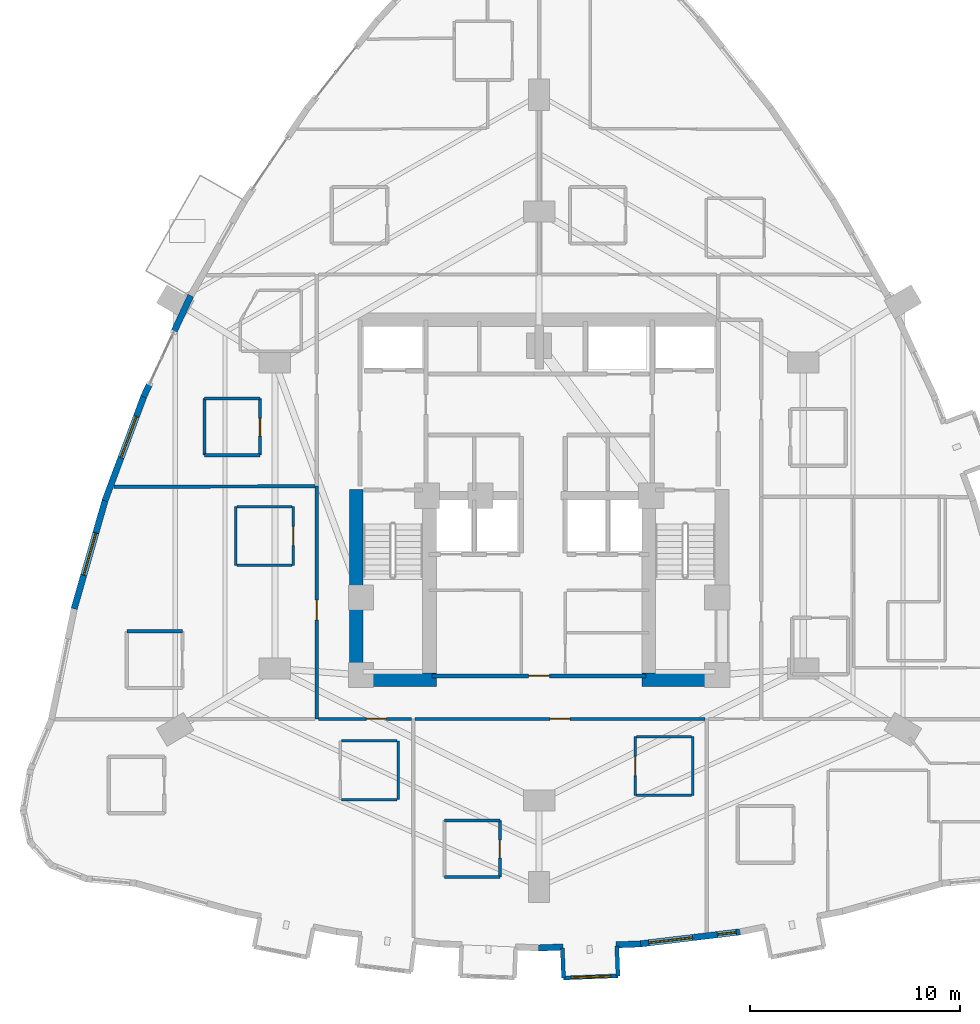
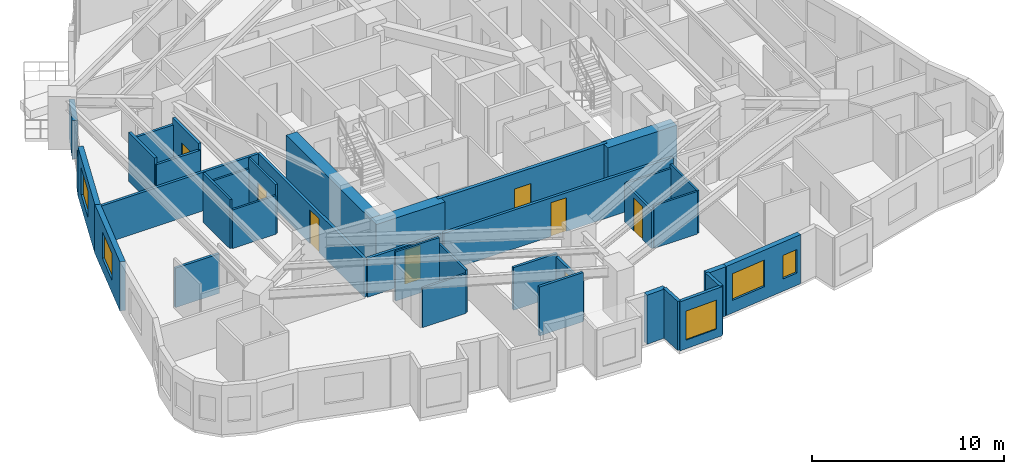
# One storey, part 11 of 17: 37 walls, 8 doors, 5 windows, 13 openings.
"""IFC4 building model written with IfcOpenShell, lengths in metres."""

import ifcopenshell
import ifcopenshell.guid

model = None  # the IFC model being written
_history = None  # IfcOwnerHistory: only IFC2X3 demands one
_inside = {}  # id of a spatial element -> (the spatial element, [elements in it])
_under = {}  # id of a project, library or spatial element -> (it, [spatial elements below it])
_declared = {}  # id of a project -> (the project, [libraries it declares])
_typed = {}  # id of a type object -> (the type object, [elements of that type])
_made_of = {}  # id of a material, layer set ... -> (it, [elements and type objects made of it])


def new_model(schema):
    """Start an empty IFC model of exactly this schema.

    Asked for "IFC4X3", IfcOpenShell would pick the latest addendum, in which some entities
    have other attributes; the version numbers below select the first issue.
    IFC2X3 requires an IfcOwnerHistory on every rooted entity: one is made here for all.
    """
    global model, _history
    if schema == "IFC4X3":
        model = ifcopenshell.file(schema_version=(4, 3, 0, 0))
    else:
        model = ifcopenshell.file(schema=schema)
    _inside.clear()
    _under.clear()
    _declared.clear()
    _typed.clear()
    _made_of.clear()
    _history = None
    if model.schema == "IFC2X3":
        org = make("IfcOrganization", Name="unknown")
        user = make(
            "IfcPersonAndOrganization",
            ThePerson=make("IfcPerson", FamilyName="unknown"),
            TheOrganization=org,
        )
        app = make(
            "IfcApplication",
            ApplicationDeveloper=org,
            Version="unknown",
            ApplicationFullName="unknown",
            ApplicationIdentifier="unknown",
        )
        _history = make(
            "IfcOwnerHistory",
            OwningUser=user,
            OwningApplication=app,
            ChangeAction="ADDED",
            CreationDate=0,
        )
    return model


def make(cls, **values):
    """One entity of the class cls with the attributes given. An attribute that is None is left unset."""
    return model.create_entity(
        cls, **{name: value for name, value in values.items() if value is not None}
    )


def rooted(cls, **values):
    """An entity with a GlobalId (a new one), such as an element, a storey or a relation."""
    return make(cls, GlobalId=ifcopenshell.guid.new(), OwnerHistory=_history, **values)


def si_unit(unit_type, name, prefix=None):
    """IfcSIUnit, for example si_unit("LENGTHUNIT", "METRE", prefix="MILLI")."""
    return make("IfcSIUnit", UnitType=unit_type, Prefix=prefix, Name=name)


def assignment(units):
    """IfcUnitAssignment: the units of a project."""
    return None if units is None else make("IfcUnitAssignment", Units=units)


def point(xyz):
    """IfcCartesianPoint."""
    return None if xyz is None else make("IfcCartesianPoint", Coordinates=xyz)


def direction(xyz):
    """IfcDirection."""
    return None if xyz is None else make("IfcDirection", DirectionRatios=xyz)


def frame(location, z_axis=None, x_axis=None):
    """IfcAxis2Placement3D, a coordinate frame: its origin and axes. An axis left out is left unset."""
    return make(
        "IfcAxis2Placement3D",
        Location=point(location),
        Axis=direction(z_axis),
        RefDirection=direction(x_axis),
    )


def frame_2d(location, x_axis=None):
    """IfcAxis2Placement2D, a coordinate frame in the plane: its origin and x axis."""
    return make(
        "IfcAxis2Placement2D", Location=point(location), RefDirection=direction(x_axis)
    )


def origin():
    """The frame at (0, 0, 0) with its axes left unset."""
    return frame((0.0, 0.0, 0.0))


def place(relative_to, where):
    """IfcLocalPlacement: puts the frame where relative to a parent placement (None: the world)."""
    return make(
        "IfcLocalPlacement", PlacementRelTo=relative_to, RelativePlacement=where
    )


def context(
    kind, dimensions, precision=None, world=None, true_north=None, identifier=None
):
    """IfcGeometricRepresentationContext, for example the 3D "Model" context."""
    return make(
        "IfcGeometricRepresentationContext",
        ContextIdentifier=identifier,
        ContextType=kind,
        CoordinateSpaceDimension=dimensions,
        Precision=precision,
        WorldCoordinateSystem=world,
        TrueNorth=true_north,
    )


def subcontext(parent, identifier, kind, view, scale=None):
    """IfcGeometricRepresentationSubContext, for example "Body" below "Model"."""
    return make(
        "IfcGeometricRepresentationSubContext",
        ContextIdentifier=identifier,
        ContextType=kind,
        ParentContext=parent,
        TargetScale=scale,
        TargetView=view,
    )


def project(units=None, contexts=None):
    """IfcProject with its units and contexts."""
    return rooted(
        "IfcProject",
        Name="project",
        RepresentationContexts=contexts,
        UnitsInContext=assignment(units),
    )


def spatial(cls, under=None, at=None, **own):
    """A site, building, storey or space (cls), placed at a placement, below another one or the project."""
    s = rooted(cls, ObjectPlacement=at, **own)
    if under is not None:
        _under.setdefault(under.id(), (under, []))[1].append(s)
    return s


def profile(cls, at=None, kind="AREA", **sizes):
    """A parametric profile (cls). Its sizes go by their IFC names, for example OverallWidth=200.0."""
    return make(cls, ProfileType=kind, Position=at, **sizes)


def rectangle(**sizes):
    """IfcRectangleProfileDef."""
    return profile("IfcRectangleProfileDef", **sizes)


def extrude(swept, where, along, depth):
    """IfcExtrudedAreaSolid: the profile swept, set in the frame where, extruded along a direction by depth."""
    return make(
        "IfcExtrudedAreaSolid",
        SweptArea=swept,
        Position=where,
        ExtrudedDirection=direction(along),
        Depth=depth,
    )


def shape(context_of_items, identifier, shape_type, items):
    """IfcShapeRepresentation: the items that make up one representation, for example the "Body"."""
    return make(
        "IfcShapeRepresentation",
        ContextOfItems=context_of_items,
        RepresentationIdentifier=identifier,
        RepresentationType=shape_type,
        Items=items,
    )


def material(Name=None, Category=None):
    """IfcMaterial."""
    return make("IfcMaterial", Name=Name, Category=Category)


def layer(
    of_material, thickness, ventilated=None, Name=None, Category=None, Priority=None
):
    """IfcMaterialLayer: one layer of a wall or slab, of a material (None: an air gap)."""
    return make(
        "IfcMaterialLayer",
        Material=of_material,
        LayerThickness=thickness,
        IsVentilated=ventilated,
        Name=Name,
        Category=Category,
        Priority=Priority,
    )


def layer_set(layers, Name=None):
    """IfcMaterialLayerSet."""
    return make("IfcMaterialLayerSet", MaterialLayers=layers, LayerSetName=Name)


def made_of(thing, what):
    """Note that an element or type object is made of a material, layer set ...; save() writes the relation."""
    if what is not None:
        _made_of.setdefault(what.id(), (what, []))[1].append(thing)
    return thing


def type_object(cls, material=None, **own):
    """A type object (cls), such as IfcWallType, which elements share."""
    return made_of(rooted(cls, **own), material)


def element(
    cls,
    number,
    at=None,
    inside=None,
    cuts=None,
    type_object=None,
    material=None,
    context=None,
    identifier="Body",
    shape_type=None,
    held_by="IfcProductDefinitionShape",
    body=None,
    shapes=None,
    **own,
):
    """One element of the class cls, such as IfcWall. Its Tag is "e" and its number.

    at: its placement. inside: the storey or other place that contains it. cuts: it is an
    opening in that element (IfcRelVoidsElement). A single representation is given by context,
    identifier, shape_type and body (its items); several are given by shapes. held_by: the class
    of the entity that holds the representations. save() writes the other relations.
    """
    e = rooted(cls, Tag="e%d" % number, ObjectPlacement=at, **own)
    if body is not None:
        shapes = [shape(context, identifier, shape_type, body)]
    if shapes is not None:
        e.Representation = make(held_by, Representations=shapes)
    if inside is not None:
        _inside.setdefault(inside.id(), (inside, []))[1].append(e)
    if cuts is not None:
        rooted(
            "IfcRelVoidsElement", RelatingBuildingElement=cuts, RelatedOpeningElement=e
        )
    if type_object is not None:
        _typed.setdefault(type_object.id(), (type_object, []))[1].append(e)
    return made_of(e, material)


def fill(opening, filler):
    """IfcRelFillsElement: the door or window that sits in an opening."""
    return rooted(
        "IfcRelFillsElement",
        RelatingOpeningElement=opening,
        RelatedBuildingElement=filler,
    )


def aggregate(whole, parts):
    """IfcRelAggregates: a whole, such as a stair, and the parts it consists of."""
    return rooted("IfcRelAggregates", RelatingObject=whole, RelatedObjects=parts)


def save(model, path):
    """Write the relations noted so far, then the file.

    IfcRelAggregates (storeys below a building ...), IfcRelContainedInSpatialStructure (elements
    in a storey), IfcRelDefinesByType, IfcRelAssociatesMaterial and IfcRelDeclares: one each for
    every whole, place, type object, material and project.
    """
    for whole, parts in _under.values():
        aggregate(whole, parts)
    for where, things in _inside.values():
        rooted(
            "IfcRelContainedInSpatialStructure",
            RelatedElements=things,
            RelatingStructure=where,
        )
    for kind, things in _typed.values():
        rooted("IfcRelDefinesByType", RelatedObjects=things, RelatingType=kind)
    for what, things in _made_of.values():
        rooted("IfcRelAssociatesMaterial", RelatedObjects=things, RelatingMaterial=what)
    for by, libraries in _declared.values():
        rooted("IfcRelDeclares", RelatingContext=by, RelatedDefinitions=libraries)
    model.write(path)


model = new_model("IFC4")

# Units and contexts
model_context = context("Model", 3, precision=1e-05, world=origin(), true_north=direction((0.0, 1.0)))
body_context = subcontext(model_context, "Body", "Model", "MODEL_VIEW")
ifc_project = project(units=[si_unit("LENGTHUNIT", "METRE"), si_unit("AREAUNIT", "SQUARE_METRE"), si_unit("VOLUMEUNIT", "CUBIC_METRE"), si_unit("PLANEANGLEUNIT", "RADIAN"), si_unit("MASSUNIT", "GRAM", prefix="KILO")], contexts=[model_context])

# Site, building, storey
site_placement = place(None, origin())
site = spatial("IfcSite", under=ifc_project, at=site_placement, CompositionType="ELEMENT")
building_placement = place(site_placement, origin())
building = spatial("IfcBuilding", under=site, at=building_placement, Name="Miruveldt Soraemaru", CompositionType="ELEMENT")
storey_placement = place(building_placement, frame((0.0, 0.0, 53.0)))
storey = spatial("IfcBuildingStorey", under=building, at=storey_placement, Name="L14", CompositionType="ELEMENT", Elevation=53.0)

# Walls
ifc_material_1 = material(Name="White powder-coated aluminium EN AW-6060 T6", Category="aluminium")
ifc_layer_1 = layer(ifc_material_1, 0.18994140625, Name="White powder-coated aluminium EN AW-6060 T6", Category="aluminium")
ifc_layer_set_1 = layer_set([ifc_layer_1], Name="White powder-coated aluminium EN AW-6060 T6")
wall_type_1 = type_object("IfcWallType", Name="WALL-BAY-ALU190", PredefinedType="SOLIDWALL", material=ifc_layer_set_1)
wall_1_placement = place(storey_placement, frame((45.10986328125, 22.464599609375, 0.0), z_axis=(0.0, 0.0, 1.0), x_axis=(0.039926977512, -0.99920260031, 0.0)))
element("IfcWall", 1, at=wall_1_placement, inside=storey, type_object=wall_type_1, Name="L14 Bay Window Side Cheek 4L", PredefinedType="SOLIDWALL", context=body_context, shape_type="SweptSolid", body=[
    extrude(rectangle(XDim=1.4248046875, YDim=0.18994140625, at=frame_2d((0.71240234375, 0.0))), origin(), (0.0, 0.0, 1.0), 3.125),
])
wall_2_placement = place(storey_placement, frame((47.7646484375, 21.144775390625, 0.0), z_axis=(0.0, 0.0, 1.0), x_axis=(-0.039920142234, 0.999202873417, 0.0)))
element("IfcWall", 2, at=wall_2_placement, inside=storey, type_object=wall_type_1, Name="L14 Bay Window Side Cheek 4R", PredefinedType="SOLIDWALL", context=body_context, shape_type="SweptSolid", body=[
    extrude(rectangle(XDim=1.425048828125, YDim=0.18994140625, at=frame_2d((0.71240234375, 0.0))), origin(), (0.0, 0.0, 1.0), 3.125),
])

# Wall, opening, window
wall_3_placement = place(storey_placement, frame((45.166748046875, 21.041015625, 0.0), z_axis=(0.0, 0.0, 1.0), x_axis=(0.999203356953, 0.039908037469, 0.0)))
wall_3 = element("IfcWall", 3, at=wall_3_placement, inside=storey, type_object=wall_type_1, Name="L14 Bay Window Front Frame 4", PredefinedType="SOLIDWALL", context=body_context, shape_type="SweptSolid", body=[
    extrude(rectangle(XDim=2.599853515625, YDim=0.18994140625, at=frame_2d((1.2998046875, 0.0))), origin(), (0.0, 0.0, 1.0), 3.125),
])
opening_1_placement = place(wall_3_placement, frame((0.35009765625, 0.0, 0.550048828125)))
opening_1 = element("IfcOpeningElement", 4, at=opening_1_placement, cuts=wall_3, Name="Opening WN-6", PredefinedType="OPENING", context=body_context, shape_type="SweptSolid", body=[
    extrude(rectangle(XDim=1.89990234375, YDim=1.85009765625, at=frame_2d((0.949951171875, 0.925048828125))), frame((0.0, 0.10498046875, 0.0), z_axis=(0.0, -1.0, 0.0), x_axis=(1.0, 0.0, 0.0)), (0.0, 0.0, 1.0), 0.2099609375),
])
ifc_material_2 = material(Name="Triple low-e insulated glazing", Category="glass")
window_type_1 = type_object("IfcWindowType", Name="WIN-BAYW-1900x1850", PartitioningType="SINGLE_PANEL", PredefinedType="WINDOW", material=ifc_material_2)
window_1_placement = place(opening_1_placement, origin())
window_1 = element("IfcWindow", 5, at=window_1_placement, inside=storey, type_object=window_type_1, Name="L14 Projecting Bay Window 4", OverallHeight=1.85009765625, OverallWidth=1.89990234375, PartitioningType="SINGLE_PANEL", PredefinedType="WINDOW", context=body_context, shape_type="SweptSolid", body=[
    extrude(rectangle(XDim=1.89990234375, YDim=1.85009765625, at=frame_2d((0.949951171875, 0.925048828125))), frame((0.0, 0.030029296875, 0.0), z_axis=(0.0, -1.0, 0.0), x_axis=(1.0, 0.0, 0.0)), (0.0, 0.0, 1.0), 0.06005859375),
])
fill(opening_1, window_1)

# Walls
ifc_material_3 = material(Name="Concrete C80/95 (80 MPa)", Category="concrete")
ifc_layer_2 = layer(ifc_material_3, 0.64990234375, Name="Concrete C80/95 (80 MPa)", Category="concrete")
ifc_layer_set_2 = layer_set([ifc_layer_2], Name="Concrete C80/95 (80 MPa)")
wall_type_2 = type_object("IfcWallType", Name="WALL-CW-650", PredefinedType="SHEAR", material=ifc_layer_set_2)
for number, where, z_axis, x_axis, name in (
    (6, (34.949951171875, 35.27490234375, 0.0), (0.0, 0.0, 1.0), (1.0, 0.0, 0.0), "L14 Central Core Shear Wall S1"),
    (7, (48.89990234375, 35.27490234375, 0.0), (0.0, 0.0, 1.0), (1.0, 0.0, 0.0), "L14 Central Core Shear Wall S2"),
):
    element("IfcWall", number, at=place(storey_placement, frame(where, z_axis=z_axis, x_axis=x_axis)), inside=storey, type_object=wall_type_2, Name=name, PredefinedType="SHEAR", context=body_context, shape_type="SweptSolid", body=[
        extrude(rectangle(XDim=4.150146484375, YDim=0.64990234375, at=frame_2d((2.0751953125, 0.0))), origin(), (0.0, 0.0, 1.0), 3.125),
    ])
wall_4_placement = place(storey_placement, frame((35.27490234375, 34.949951171875, 0.0), z_axis=(0.0, 0.0, 1.0), x_axis=(0.0, 1.0, 0.0)))
element("IfcWall", 8, at=wall_4_placement, inside=storey, type_object=wall_type_2, Name="L14 Central Core Shear Wall W1", PredefinedType="SHEAR", context=body_context, shape_type="SweptSolid", body=[
    extrude(rectangle(XDim=9.400146484375, YDim=0.64990234375, at=frame_2d((4.7001953125, 0.0))), origin(), (0.0, 0.0, 1.0), 3.125),
])
ifc_material_4 = material(Name="Precast concrete C45/55 (45 MPa)", Category="concrete")
ifc_layer_3 = layer(ifc_material_4, 0.300048828125, Name="Precast concrete C45/55 (45 MPa)", Category="concrete")
ifc_layer_set_3 = layer_set([ifc_layer_3], Name="Precast concrete C45/55 (45 MPa)")
wall_type_3 = type_object("IfcWallType", Name="WALL-EXT-PC300", PredefinedType="SOLIDWALL", material=ifc_layer_set_3)
wall_5_placement = place(storey_placement, frame((27.3837890625, 53.593994140625, 0.0), z_axis=(0.0, 0.0, 1.0), x_axis=(-0.422288735968, -0.906461374508, 0.0)))
element("IfcWall", 9, at=wall_5_placement, inside=storey, type_object=wall_type_3, Name="L14 Precast Pier Left 11", PredefinedType="SOLIDWALL", context=body_context, shape_type="SweptSolid", body=[
    extrude(rectangle(XDim=1.948974609375, YDim=0.300048828125, at=frame_2d((0.974609375, 0.0))), origin(), (0.0, 0.0, 1.0), 2.462890625),
])
wall_6_placement = place(storey_placement, frame((25.431884765625, 49.404296875, 0.0), z_axis=(0.0, 0.0, 1.0), x_axis=(-0.422373247815, -0.906421998591, 0.0)))
element("IfcWall", 10, at=wall_6_placement, inside=storey, type_object=wall_type_3, Name="L14 Precast Pier Right 11", PredefinedType="SOLIDWALL", context=body_context, shape_type="SweptSolid", body=[
    extrude(rectangle(XDim=0.70458984375, YDim=0.300048828125, at=frame_2d((0.352294921875, 0.0))), origin(), (0.0, 0.0, 1.0), 2.462890625),
])

# Wall, opening, window
wall_7_placement = place(storey_placement, frame((25.161376953125, 48.830078125, 0.0), z_axis=(0.0, 0.0, 1.0), x_axis=(-0.349036086513, -0.937109284082, 0.0)))
wall_7 = element("IfcWall", 11, at=wall_7_placement, inside=storey, type_object=wall_type_3, Name="L14 Precast Concrete Facade Wall 12", PredefinedType="SOLIDWALL", context=body_context, shape_type="SweptSolid", body=[
    extrude(rectangle(XDim=5.360107421875, YDim=0.300048828125, at=frame_2d((2.68017578125, 0.0))), origin(), (0.0, 0.0, 1.0), 3.125),
])
opening_2_placement = place(wall_7_placement, frame((1.06591796875, 0.0, 0.800048828125)))
opening_2 = element("IfcOpeningElement", 12, at=opening_2_placement, cuts=wall_7, Name="Opening WN-1", PredefinedType="OPENING", context=body_context, shape_type="SweptSolid", body=[
    extrude(rectangle(XDim=2.10009765625, YDim=1.699951171875, at=frame_2d((1.050048828125, 0.85009765625))), frame((0.0, 0.16015625, 0.0), z_axis=(0.0, -1.0, 0.0), x_axis=(1.0, 0.0, 0.0)), (0.0, 0.0, 1.0), 0.320068359375),
])
window_type_2 = type_object("IfcWindowType", Name="WIN-PUNCH-2100x1700", PartitioningType="SINGLE_PANEL", PredefinedType="WINDOW", material=ifc_material_2)
window_2_placement = place(opening_2_placement, origin())
window_2 = element("IfcWindow", 13, at=window_2_placement, inside=storey, type_object=window_type_2, Name="L14 Punched Triple-Glazed Window 12.1", OverallHeight=1.699951171875, OverallWidth=2.10009765625, PartitioningType="SINGLE_PANEL", PredefinedType="WINDOW", context=body_context, shape_type="SweptSolid", body=[
    extrude(rectangle(XDim=2.10009765625, YDim=1.699951171875, at=frame_2d((1.050048828125, 0.85009765625))), frame((0.0, 0.030029296875, 0.0), z_axis=(0.0, -1.0, 0.0), x_axis=(1.0, 0.0, 0.0)), (0.0, 0.0, 1.0), 0.06005859375),
])
fill(opening_2, window_2)

wall_8_placement = place(storey_placement, frame((23.312255859375, 43.873779296875, 0.0), z_axis=(0.0, 0.0, 1.0), x_axis=(-0.274929090482, -0.961464505432, 0.0)))
wall_8 = element("IfcWall", 14, at=wall_8_placement, inside=storey, type_object=wall_type_3, Name="L14 Precast Concrete Facade Wall 13", PredefinedType="SOLIDWALL", context=body_context, shape_type="SweptSolid", body=[
    extrude(rectangle(XDim=5.4267578125, YDim=0.300048828125, at=frame_2d((2.71337890625, 0.0))), origin(), (0.0, 0.0, 1.0), 3.125),
])
opening_3_placement = place(wall_8_placement, frame((1.6630859375, 0.0, 0.800048828125)))
opening_3 = element("IfcOpeningElement", 15, at=opening_3_placement, cuts=wall_8, Name="Opening WN-1", PredefinedType="OPENING", context=body_context, shape_type="SweptSolid", body=[
    extrude(rectangle(XDim=2.10009765625, YDim=1.699951171875, at=frame_2d((1.050048828125, 0.85009765625))), frame((0.0, 0.16015625, 0.0), z_axis=(0.0, -1.0, 0.0), x_axis=(1.0, 0.0, 0.0)), (0.0, 0.0, 1.0), 0.320068359375),
])
window_3_placement = place(opening_3_placement, origin())
window_3 = element("IfcWindow", 16, at=window_3_placement, inside=storey, type_object=window_type_2, Name="L14 Punched Triple-Glazed Window 13.1", OverallHeight=1.699951171875, OverallWidth=2.10009765625, PartitioningType="SINGLE_PANEL", PredefinedType="WINDOW", context=body_context, shape_type="SweptSolid", body=[
    extrude(rectangle(XDim=2.10009765625, YDim=1.699951171875, at=frame_2d((1.050048828125, 0.85009765625))), frame((0.0, 0.030029296875, 0.0), z_axis=(0.0, -1.0, 0.0), x_axis=(1.0, 0.0, 0.0)), (0.0, 0.0, 1.0), 0.06005859375),
])
fill(opening_3, window_3)

# Walls
wall_9_placement = place(storey_placement, frame((43.965087890625, 22.47412109375, 0.0), z_axis=(0.0, 0.0, 1.0), x_axis=(0.999201955394, 0.03994311377, 0.0)))
element("IfcWall", 17, at=wall_9_placement, inside=storey, type_object=wall_type_3, Name="L14 Precast Pier Wall 25A", PredefinedType="SOLIDWALL", context=body_context, shape_type="SweptSolid", body=[
    extrude(rectangle(XDim=1.173583984375, YDim=0.300048828125, at=frame_2d((0.5869140625, 0.0))), origin(), (0.0, 0.0, 1.0), 3.125),
])
wall_10_placement = place(storey_placement, frame((47.675537109375, 22.622314453125, 0.0), z_axis=(0.0, 0.0, 1.0), x_axis=(0.999202287203, 0.039934812478, 0.0)))
element("IfcWall", 18, at=wall_10_placement, inside=storey, type_object=wall_type_3, Name="L14 Precast Pier Wall 25B", PredefinedType="SOLIDWALL", context=body_context, shape_type="SweptSolid", body=[
    extrude(rectangle(XDim=1.173828125, YDim=0.300048828125, at=frame_2d((0.5869140625, 0.0))), origin(), (0.0, 0.0, 1.0), 3.125),
])

# Wall, openings, windows
wall_11_placement = place(storey_placement, frame((48.778564453125, 22.663818359375, 0.0), z_axis=(0.0, 0.0, 1.0), x_axis=(0.992876838487, 0.119145220618, 0.0)))
wall_11 = element("IfcWall", 19, at=wall_11_placement, inside=storey, type_object=wall_type_3, Name="L14 Precast Concrete Facade Wall 26", PredefinedType="SOLIDWALL", context=body_context, shape_type="SweptSolid", body=[
    extrude(rectangle(XDim=4.917724609375, YDim=0.300048828125, at=frame_2d((2.458984375, 0.0))), origin(), (0.0, 0.0, 1.0), 3.125),
])
opening_4_placement = place(wall_11_placement, frame((0.45703125, 0.0, 0.800048828125)))
opening_4 = element("IfcOpeningElement", 20, at=opening_4_placement, cuts=wall_11, Name="Opening WN-1", PredefinedType="OPENING", context=body_context, shape_type="SweptSolid", body=[
    extrude(rectangle(XDim=2.10009765625, YDim=1.699951171875, at=frame_2d((1.050048828125, 0.85009765625))), frame((0.0, 0.16015625, 0.0), z_axis=(0.0, -1.0, 0.0), x_axis=(1.0, 0.0, 0.0)), (0.0, 0.0, 1.0), 0.320068359375),
])
opening_5_placement = place(wall_11_placement, frame((3.756103515625, 0.0, 0.780029296875)))
opening_5 = element("IfcOpeningElement", 21, at=opening_5_placement, cuts=wall_11, Name="Opening WN-7", PredefinedType="OPENING", context=body_context, shape_type="SweptSolid", body=[
    extrude(rectangle(XDim=0.89990234375, YDim=1.5, at=frame_2d((0.449951171875, 0.75))), frame((0.0, 0.16015625, 0.0), z_axis=(0.0, -1.0, 0.0), x_axis=(1.0, 0.0, 0.0)), (0.0, 0.0, 1.0), 0.320068359375),
])
window_4_placement = place(opening_4_placement, origin())
window_4 = element("IfcWindow", 22, at=window_4_placement, inside=storey, type_object=window_type_2, Name="L14 Punched Triple-Glazed Window 26.1", OverallHeight=1.699951171875, OverallWidth=2.10009765625, PartitioningType="SINGLE_PANEL", PredefinedType="WINDOW", context=body_context, shape_type="SweptSolid", body=[
    extrude(rectangle(XDim=2.10009765625, YDim=1.699951171875, at=frame_2d((1.050048828125, 0.85009765625))), frame((0.0, 0.030029296875, 0.0), z_axis=(0.0, -1.0, 0.0), x_axis=(1.0, 0.0, 0.0)), (0.0, 0.0, 1.0), 0.06005859375),
])
fill(opening_4, window_4)
window_type_3 = type_object("IfcWindowType", Name="WIN-PUNCH-900x1500", PartitioningType="SINGLE_PANEL", PredefinedType="WINDOW", material=ifc_material_2)
window_5_placement = place(opening_5_placement, origin())
window_5 = element("IfcWindow", 23, at=window_5_placement, inside=storey, type_object=window_type_3, Name="L14 Punched Triple-Glazed Window 26.2", OverallHeight=1.5, OverallWidth=0.89990234375, PartitioningType="SINGLE_PANEL", PredefinedType="WINDOW", context=body_context, shape_type="SweptSolid", body=[
    extrude(rectangle(XDim=0.89990234375, YDim=1.5, at=frame_2d((0.449951171875, 0.75))), frame((0.0, 0.030029296875, 0.0), z_axis=(0.0, -1.0, 0.0), x_axis=(1.0, 0.0, 0.0)), (0.0, 0.0, 1.0), 0.06005859375),
])
fill(opening_5, window_5)

# Wall, opening, door
ifc_material_5 = material(Name="Gypsum plasterboard lining", Category="gypsum")
ifc_layer_4 = layer(ifc_material_5, 0.1201171875, Name="Gypsum plasterboard lining", Category="gypsum")
ifc_layer_set_4 = layer_set([ifc_layer_4], Name="Gypsum plasterboard lining")
wall_type_4 = type_object("IfcWallType", Name="WALL-INT-P120", PredefinedType="PARTITIONING", material=ifc_layer_set_4)
wall_12_placement = place(storey_placement, frame((32.281005859375, 40.72998046875, 0.0), z_axis=(0.0, 0.0, 1.0), x_axis=(0.0, 1.0, 0.0)))
wall_12 = element("IfcWall", 24, at=wall_12_placement, inside=storey, type_object=wall_type_4, Name="L14 Partition Wall 57", PredefinedType="PARTITIONING", context=body_context, shape_type="SweptSolid", body=[
    extrude(rectangle(XDim=2.800048828125, YDim=0.1201171875, at=frame_2d((1.39990234375, 0.0))), origin(), (0.0, 0.0, 1.0), 3.125),
])
opening_6_placement = place(wall_12_placement, frame((0.93994140625, 0.0, 0.0)))
opening_6 = element("IfcOpeningElement", 25, at=opening_6_placement, cuts=wall_12, Name="Opening D3A", PredefinedType="OPENING", context=body_context, shape_type="SweptSolid", body=[
    extrude(rectangle(XDim=0.919921875, YDim=2.10009765625, at=frame_2d((0.4599609375, 1.050048828125))), frame((0.0, 0.070068359375, 0.0), z_axis=(0.0, -1.0, 0.0), x_axis=(1.0, 0.0, 0.0)), (0.0, 0.0, 1.0), 0.14013671875),
])
ifc_material_6 = material(Name="Anodised aluminium EN AW-6063 T6", Category="aluminium")
door_type_1 = type_object("IfcDoorType", Name="DOOR-INT-920", OperationType="NOTDEFINED", PredefinedType="DOOR", material=ifc_material_6)
door_1_placement = place(opening_6_placement, origin())
door_1 = element("IfcDoor", 26, at=door_1_placement, inside=storey, type_object=door_type_1, Name="L14 Unit CL04 KIT Door", OperationType="SINGLE_SWING_LEFT", OverallHeight=2.10009765625, OverallWidth=0.919921875, PredefinedType="DOOR", context=body_context, shape_type="SweptSolid", body=[
    extrude(rectangle(XDim=0.919921875, YDim=2.10009765625, at=frame_2d((0.4599609375, 1.050048828125))), frame((0.0, 0.02490234375, 0.0), z_axis=(0.0, -1.0, 0.0), x_axis=(1.0, 0.0, 0.0)), (0.0, 0.0, 1.0), 0.050048828125),
])
fill(opening_6, door_1)

wall_13_placement = place(storey_placement, frame((48.580078125, 32.55810546875, 0.0), z_axis=(0.0, 0.0, 1.0), x_axis=(0.0, -1.0, 0.0)))
wall_13 = element("IfcWall", 27, at=wall_13_placement, inside=storey, type_object=wall_type_4, Name="L14 Partition Wall 91", PredefinedType="PARTITIONING", context=body_context, shape_type="SweptSolid", body=[
    extrude(rectangle(XDim=2.800048828125, YDim=0.1201171875, at=frame_2d((1.39990234375, 0.0))), origin(), (0.0, 0.0, 1.0), 2.462890625),
])
opening_7_placement = place(wall_13_placement, frame((0.93994140625, 0.0, 0.0)))
opening_7 = element("IfcOpeningElement", 28, at=opening_7_placement, cuts=wall_13, Name="Opening D3A", PredefinedType="OPENING", context=body_context, shape_type="SweptSolid", body=[
    extrude(rectangle(XDim=0.919921875, YDim=2.10009765625, at=frame_2d((0.4599609375, 1.050048828125))), frame((0.0, 0.070068359375, 0.0), z_axis=(0.0, -1.0, 0.0), x_axis=(1.0, 0.0, 0.0)), (0.0, 0.0, 1.0), 0.14013671875),
])
door_2_placement = place(opening_7_placement, origin())
door_2 = element("IfcDoor", 29, at=door_2_placement, inside=storey, type_object=door_type_1, Name="L14 Unit CL08 KIT Door", OperationType="SINGLE_SWING_LEFT", OverallHeight=2.10009765625, OverallWidth=0.919921875, PredefinedType="DOOR", context=body_context, shape_type="SweptSolid", body=[
    extrude(rectangle(XDim=0.919921875, YDim=2.10009765625, at=frame_2d((0.4599609375, 1.050048828125))), frame((0.0, 0.02490234375, 0.0), z_axis=(0.0, -1.0, 0.0), x_axis=(1.0, 0.0, 0.0)), (0.0, 0.0, 1.0), 0.050048828125),
])
fill(opening_7, door_2)

# Walls
wall_14_placement = place(storey_placement, frame((29.531005859375, 43.530029296875, 0.0), z_axis=(0.0, 0.0, 1.0), x_axis=(0.0, -1.0, 0.0)))
element("IfcWall", 30, at=wall_14_placement, inside=storey, type_object=wall_type_4, Name="L14 Partition Wall 59", PredefinedType="PARTITIONING", context=body_context, shape_type="SweptSolid", body=[
    extrude(rectangle(XDim=2.800048828125, YDim=0.1201171875, at=frame_2d((1.39990234375, 0.0))), origin(), (0.0, 0.0, 1.0), 3.125),
])
for number, where, z_axis, x_axis, name in (
    (31, (51.330078125, 29.758056640625, 0.0), (0.0, 0.0, 1.0), (0.0, 1.0, 0.0), "L14 Partition Wall 89"),
    (32, (37.27099609375, 29.549072265625, 0.0), (0.0, 0.0, 1.0), (0.0, 1.0, 0.0), "L14 Partition Wall 80"),
):
    element("IfcWall", number, at=place(storey_placement, frame(where, z_axis=z_axis, x_axis=x_axis)), inside=storey, type_object=wall_type_4, Name=name, PredefinedType="PARTITIONING", context=body_context, shape_type="SweptSolid", body=[
        extrude(rectangle(XDim=2.800048828125, YDim=0.1201171875, at=frame_2d((1.39990234375, 0.0))), origin(), (0.0, 0.0, 1.0), 2.712890625),
    ])
wall_15_placement = place(storey_placement, frame((51.27001953125, 32.55810546875, 0.0), z_axis=(0.0, 0.0, 1.0), x_axis=(-1.0, 0.0, 0.0)))
element("IfcWall", 33, at=wall_15_placement, inside=storey, type_object=wall_type_4, Name="L14 Partition Wall 90", PredefinedType="PARTITIONING", context=body_context, shape_type="SweptSolid", body=[
    extrude(rectangle(XDim=2.630126953125, YDim=0.1201171875, at=frame_2d((1.31494140625, 0.0))), origin(), (0.0, 0.0, 1.0), 2.462890625),
])
wall_16_placement = place(storey_placement, frame((48.639892578125, 29.758056640625, 0.0), z_axis=(0.0, 0.0, 1.0), x_axis=(1.0, 0.0, 0.0)))
element("IfcWall", 34, at=wall_16_placement, inside=storey, type_object=wall_type_4, Name="L14 Partition Wall 92", PredefinedType="PARTITIONING", context=body_context, shape_type="SweptSolid", body=[
    extrude(rectangle(XDim=2.630126953125, YDim=0.1201171875, at=frame_2d((1.31494140625, 0.0))), origin(), (0.0, 0.0, 1.0), 2.712890625),
])
for number, where, z_axis, x_axis, name in (
    (35, (32.220947265625, 43.530029296875, 0.0), (0.0, 0.0, 1.0), (-1.0, 0.0, 0.0), "L14 Partition Wall 58"),
    (36, (29.591064453125, 40.72998046875, 0.0), (0.0, 0.0, 1.0), (1.0, 0.0, 0.0), "L14 Partition Wall 60"),
):
    element("IfcWall", number, at=place(storey_placement, frame(where, z_axis=z_axis, x_axis=x_axis)), inside=storey, type_object=wall_type_4, Name=name, PredefinedType="PARTITIONING", context=body_context, shape_type="SweptSolid", body=[
        extrude(rectangle(XDim=2.6298828125, YDim=0.1201171875, at=frame_2d((1.31494140625, 0.0))), origin(), (0.0, 0.0, 1.0), 2.462890625),
    ])
wall_17_placement = place(storey_placement, frame((37.2109375, 32.34912109375, 0.0), z_axis=(0.0, 0.0, 1.0), x_axis=(-1.0, 0.0, 0.0)))
element("IfcWall", 37, at=wall_17_placement, inside=storey, type_object=wall_type_4, Name="L14 Partition Wall 81", PredefinedType="PARTITIONING", context=body_context, shape_type="SweptSolid", body=[
    extrude(rectangle(XDim=2.6298828125, YDim=0.1201171875, at=frame_2d((1.31494140625, 0.0))), origin(), (0.0, 0.0, 1.0), 3.125),
])
wall_18_placement = place(storey_placement, frame((34.5810546875, 29.549072265625, 0.0), z_axis=(0.0, 0.0, 1.0), x_axis=(1.0, 0.0, 0.0)))
element("IfcWall", 38, at=wall_18_placement, inside=storey, type_object=wall_type_4, Name="L14 Partition Wall 83", PredefinedType="PARTITIONING", context=body_context, shape_type="SweptSolid", body=[
    extrude(rectangle(XDim=2.6298828125, YDim=0.1201171875, at=frame_2d((1.31494140625, 0.0))), origin(), (0.0, 0.0, 1.0), 2.512939453125),
])

# Wall, opening, door
ifc_layer_5 = layer(ifc_material_5, 0.14990234375, Name="Gypsum plasterboard lining", Category="gypsum")
ifc_layer_set_5 = layer_set([ifc_layer_5], Name="Gypsum plasterboard lining")
wall_type_5 = type_object("IfcWallType", Name="WALL-INT-PLUMB", PredefinedType="PLUMBINGWALL", material=ifc_layer_set_5)
wall_19_placement = place(storey_placement, frame((30.68603515625, 45.97998046875, 0.0), z_axis=(0.0, 0.0, 1.0), x_axis=(0.0, 1.0, 0.0)))
wall_19 = element("IfcWall", 39, at=wall_19_placement, inside=storey, type_object=wall_type_5, Name="L14 Partition Wall 43", PredefinedType="PLUMBINGWALL", context=body_context, shape_type="SweptSolid", body=[
    extrude(rectangle(XDim=2.699951171875, YDim=0.14990234375, at=frame_2d((1.35009765625, 0.0))), origin(), (0.0, 0.0, 1.0), 3.125),
])
opening_8_placement = place(wall_19_placement, frame((0.909912109375, 0.0, 0.0)))
opening_8 = element("IfcOpeningElement", 40, at=opening_8_placement, cuts=wall_19, Name="Opening FD3", PredefinedType="OPENING", context=body_context, shape_type="SweptSolid", body=[
    extrude(rectangle(XDim=0.85009765625, YDim=2.10009765625, at=frame_2d((0.425048828125, 1.050048828125))), frame((0.0, 0.0849609375, 0.0), z_axis=(0.0, -1.0, 0.0), x_axis=(1.0, 0.0, 0.0)), (0.0, 0.0, 1.0), 0.169921875),
])
door_type_2 = type_object("IfcDoorType", Name="DOOR-FD3-850", OperationType="NOTDEFINED", PredefinedType="DOOR", material=ifc_material_6)
door_3_placement = place(opening_8_placement, origin())
door_3 = element("IfcDoor", 41, at=door_3_placement, inside=storey, type_object=door_type_2, Name="L14 Unit 1403 BTH Door", OperationType="SINGLE_SWING_LEFT", OverallHeight=2.10009765625, OverallWidth=0.85009765625, PredefinedType="DOOR", context=body_context, shape_type="SweptSolid", body=[
    extrude(rectangle(XDim=0.85009765625, YDim=2.10009765625, at=frame_2d((0.425048828125, 1.050048828125))), frame((0.0, 0.02490234375, 0.0), z_axis=(0.0, -1.0, 0.0), x_axis=(1.0, 0.0, 0.0)), (0.0, 0.0, 1.0), 0.050048828125),
])
fill(opening_8, door_3)

wall_20_placement = place(storey_placement, frame((42.1298828125, 25.85791015625, 0.0), z_axis=(0.0, 0.0, 1.0), x_axis=(0.0, 1.0, 0.0)))
wall_20 = element("IfcWall", 42, at=wall_20_placement, inside=storey, type_object=wall_type_5, Name="L14 Partition Wall 85", PredefinedType="PLUMBINGWALL", context=body_context, shape_type="SweptSolid", body=[
    extrude(rectangle(XDim=2.7001953125, YDim=0.14990234375, at=frame_2d((1.35009765625, 0.0))), origin(), (0.0, 0.0, 1.0), 2.512939453125),
])
opening_9_placement = place(wall_20_placement, frame((0.909912109375, 0.0, 0.0)))
opening_9 = element("IfcOpeningElement", 43, at=opening_9_placement, cuts=wall_20, Name="Opening FD3", PredefinedType="OPENING", context=body_context, shape_type="SweptSolid", body=[
    extrude(rectangle(XDim=0.85009765625, YDim=2.10009765625, at=frame_2d((0.425048828125, 1.050048828125))), frame((0.0, 0.0849609375, 0.0), z_axis=(0.0, -1.0, 0.0), x_axis=(1.0, 0.0, 0.0)), (0.0, 0.0, 1.0), 0.169921875),
])
door_4_placement = place(opening_9_placement, origin())
door_4 = element("IfcDoor", 44, at=door_4_placement, inside=storey, type_object=door_type_2, Name="L14 Unit CL08 BTH Door", OperationType="SINGLE_SWING_RIGHT", OverallHeight=2.10009765625, OverallWidth=0.85009765625, PredefinedType="DOOR", context=body_context, shape_type="SweptSolid", body=[
    extrude(rectangle(XDim=0.85009765625, YDim=2.10009765625, at=frame_2d((0.425048828125, 1.050048828125))), frame((0.0, 0.02490234375, 0.0), z_axis=(0.0, -1.0, 0.0), x_axis=(1.0, 0.0, 0.0)), (0.0, 0.0, 1.0), 0.050048828125),
])
fill(opening_9, door_4)

# Walls
wall_21_placement = place(storey_placement, frame((28.035888671875, 48.679931640625, 0.0), z_axis=(0.0, 0.0, 1.0), x_axis=(0.0, -1.0, 0.0)))
element("IfcWall", 45, at=wall_21_placement, inside=storey, type_object=wall_type_5, Name="L14 Partition Wall 45", PredefinedType="PLUMBINGWALL", context=body_context, shape_type="SweptSolid", body=[
    extrude(rectangle(XDim=2.699951171875, YDim=0.14990234375, at=frame_2d((1.35009765625, 0.0))), origin(), (0.0, 0.0, 1.0), 3.125),
])
wall_22_placement = place(storey_placement, frame((42.1298828125, 28.55810546875, 0.0), z_axis=(0.0, 0.0, 1.0), x_axis=(-1.0, 0.0, 0.0)))
element("IfcWall", 46, at=wall_22_placement, inside=storey, type_object=wall_type_5, Name="L14 Partition Wall 86", PredefinedType="PLUMBINGWALL", context=body_context, shape_type="SweptSolid", body=[
    extrude(rectangle(XDim=2.64990234375, YDim=0.14990234375, at=frame_2d((1.324951171875, 0.0))), origin(), (0.0, 0.0, 1.0), 2.712890625),
])
wall_23_placement = place(storey_placement, frame((39.47998046875, 25.85791015625, 0.0), z_axis=(0.0, 0.0, 1.0), x_axis=(1.0, 0.0, 0.0)))
element("IfcWall", 47, at=wall_23_placement, inside=storey, type_object=wall_type_5, Name="L14 Partition Wall 88", PredefinedType="PLUMBINGWALL", context=body_context, shape_type="SweptSolid", body=[
    extrude(rectangle(XDim=2.64990234375, YDim=0.14990234375, at=frame_2d((1.324951171875, 0.0))), origin(), (0.0, 0.0, 1.0), 3.125),
])
wall_24_placement = place(storey_placement, frame((26.98095703125, 37.580078125, 0.0), z_axis=(0.0, 0.0, 1.0), x_axis=(-1.0, 0.0, 0.0)))
element("IfcWall", 48, at=wall_24_placement, inside=storey, type_object=wall_type_5, Name="L14 Partition Wall 54", PredefinedType="PLUMBINGWALL", context=body_context, shape_type="SweptSolid", body=[
    extrude(rectangle(XDim=2.64990234375, YDim=0.14990234375, at=frame_2d((1.324951171875, 0.0))), origin(), (0.0, 0.0, 1.0), 2.512939453125),
])
for number, where, z_axis, x_axis, name in (
    (49, (30.68603515625, 48.679931640625, 0.0), (0.0, 0.0, 1.0), (-1.0, 0.0, 0.0), "L14 Partition Wall 44"),
    (50, (28.035888671875, 45.97998046875, 0.0), (0.0, 0.0, 1.0), (1.0, 0.0, 0.0), "L14 Partition Wall 46"),
):
    element("IfcWall", number, at=place(storey_placement, frame(where, z_axis=z_axis, x_axis=x_axis)), inside=storey, type_object=wall_type_5, Name=name, PredefinedType="PLUMBINGWALL", context=body_context, shape_type="SweptSolid", body=[
        extrude(rectangle(XDim=2.650146484375, YDim=0.14990234375, at=frame_2d((1.3251953125, 0.0))), origin(), (0.0, 0.0, 1.0), 2.712890625),
    ])

# Wall, opening, door
ifc_material_7 = material(Name="Concrete C40/50 (40 MPa)", Category="concrete")
ifc_layer_6 = layer(ifc_material_7, 0.159912109375, Name="Concrete C40/50 (40 MPa)", Category="concrete")
ifc_layer_set_6 = layer_set([ifc_layer_6], Name="Concrete C40/50 (40 MPa)")
wall_type_6 = type_object("IfcWallType", Name="WALL-INT-RC160", PredefinedType="SOLIDWALL", material=ifc_layer_set_6)
wall_25_placement = place(storey_placement, frame((38.080078125, 33.39990234375, 0.0), z_axis=(0.0, 0.0, 1.0), x_axis=(1.0, 0.0, 0.0)))
wall_25 = element("IfcWall", 51, at=wall_25_placement, inside=storey, type_object=wall_type_6, Name="L14 Partition Wall 10", PredefinedType="SOLIDWALL", context=body_context, shape_type="SweptSolid", body=[
    extrude(rectangle(XDim=13.83984375, YDim=0.159912109375, at=frame_2d((6.919921875, 0.0))), origin(), (0.0, 0.0, 1.0), 2.462890625),
])
opening_10_placement = place(wall_25_placement, frame((6.445068359375, 0.0, 0.0)))
opening_10 = element("IfcOpeningElement", 52, at=opening_10_placement, cuts=wall_25, Name="Opening FD2", PredefinedType="OPENING", context=body_context, shape_type="SweptSolid", body=[
    extrude(rectangle(XDim=0.949951171875, YDim=2.14990234375, at=frame_2d((0.47509765625, 1.074951171875))), frame((0.0, 0.08984375, 0.0), z_axis=(0.0, -1.0, 0.0), x_axis=(1.0, 0.0, 0.0)), (0.0, 0.0, 1.0), 0.179931640625),
])
door_type_3 = type_object("IfcDoorType", Name="DOOR-FD2-950", OperationType="NOTDEFINED", PredefinedType="DOOR", material=ifc_material_6)
door_5_placement = place(opening_10_placement, origin())
door_5 = element("IfcDoor", 53, at=door_5_placement, inside=storey, type_object=door_type_3, Name="L14 Unit CL08 Entrance Fire Door", OperationType="SINGLE_SWING_LEFT", OverallHeight=2.14990234375, OverallWidth=0.949951171875, PredefinedType="DOOR", context=body_context, shape_type="SweptSolid", body=[
    extrude(rectangle(XDim=0.949951171875, YDim=2.14990234375, at=frame_2d((0.47509765625, 1.074951171875))), frame((0.0, 0.02490234375, 0.0), z_axis=(0.0, -1.0, 0.0), x_axis=(1.0, 0.0, 0.0)), (0.0, 0.0, 1.0), 0.050048828125),
])
fill(opening_10, door_5)

wall_26_placement = place(storey_placement, frame((33.39990234375, 44.5, 0.0), z_axis=(0.0, 0.0, 1.0), x_axis=(0.0, -1.0, 0.0)))
wall_26 = element("IfcWall", 54, at=wall_26_placement, inside=storey, type_object=wall_type_6, Name="L14 Partition Wall 4", PredefinedType="SOLIDWALL", context=body_context, shape_type="SweptSolid", body=[
    extrude(rectangle(XDim=11.10009765625, YDim=0.159912109375, at=frame_2d((5.550048828125, 0.0))), origin(), (0.0, 0.0, 1.0), 2.462890625),
])
opening_11_placement = place(wall_26_placement, frame((5.43505859375, 0.0, 0.0)))
opening_11 = element("IfcOpeningElement", 55, at=opening_11_placement, cuts=wall_26, Name="Opening FD2", PredefinedType="OPENING", context=body_context, shape_type="SweptSolid", body=[
    extrude(rectangle(XDim=0.949951171875, YDim=2.14990234375, at=frame_2d((0.47509765625, 1.074951171875))), frame((0.0, 0.08984375, 0.0), z_axis=(0.0, -1.0, 0.0), x_axis=(1.0, 0.0, 0.0)), (0.0, 0.0, 1.0), 0.179931640625),
])
door_6_placement = place(opening_11_placement, origin())
door_6 = element("IfcDoor", 56, at=door_6_placement, inside=storey, type_object=door_type_3, Name="L14 Unit CL04 Entrance Fire Door", OperationType="SINGLE_SWING_LEFT", OverallHeight=2.14990234375, OverallWidth=0.949951171875, PredefinedType="DOOR", context=body_context, shape_type="SweptSolid", body=[
    extrude(rectangle(XDim=0.949951171875, YDim=2.14990234375, at=frame_2d((0.47509765625, 1.074951171875))), frame((0.0, 0.02490234375, 0.0), z_axis=(0.0, -1.0, 0.0), x_axis=(1.0, 0.0, 0.0)), (0.0, 0.0, 1.0), 0.050048828125),
])
fill(opening_11, door_6)

wall_27_placement = place(storey_placement, frame((33.47998046875, 33.39990234375, 0.0), z_axis=(0.0, 0.0, 1.0), x_axis=(1.0, 0.0, 0.0)))
wall_27 = element("IfcWall", 57, at=wall_27_placement, inside=storey, type_object=wall_type_6, Name="L14 Partition Wall 9", PredefinedType="SOLIDWALL", context=body_context, shape_type="SweptSolid", body=[
    extrude(rectangle(XDim=4.43994140625, YDim=0.159912109375, at=frame_2d((2.219970703125, 0.0))), origin(), (0.0, 0.0, 1.0), 2.462890625),
])
opening_12_placement = place(wall_27_placement, frame((2.284912109375, 0.0, 0.0)))
opening_12 = element("IfcOpeningElement", 58, at=opening_12_placement, cuts=wall_27, Name="Opening FD2", PredefinedType="OPENING", context=body_context, shape_type="SweptSolid", body=[
    extrude(rectangle(XDim=0.949951171875, YDim=2.14990234375, at=frame_2d((0.47509765625, 1.074951171875))), frame((0.0, 0.08984375, 0.0), z_axis=(0.0, -1.0, 0.0), x_axis=(1.0, 0.0, 0.0)), (0.0, 0.0, 1.0), 0.179931640625),
])
door_7_placement = place(opening_12_placement, origin())
door_7 = element("IfcDoor", 59, at=door_7_placement, inside=storey, type_object=door_type_3, Name="L14 Unit CL07 Entrance Fire Door", OperationType="SINGLE_SWING_RIGHT", OverallHeight=2.14990234375, OverallWidth=0.949951171875, PredefinedType="DOOR", context=body_context, shape_type="SweptSolid", body=[
    extrude(rectangle(XDim=0.949951171875, YDim=2.14990234375, at=frame_2d((0.47509765625, 1.074951171875))), frame((0.0, 0.02490234375, 0.0), z_axis=(0.0, -1.0, 0.0), x_axis=(1.0, 0.0, 0.0)), (0.0, 0.0, 1.0), 0.050048828125),
])
fill(opening_12, door_7)

# Wall
wall_28_placement = place(storey_placement, frame((23.714111328125, 44.469970703125, 0.0), z_axis=(0.0, 0.0, 1.0), x_axis=(0.999995113748, 0.003126096655, 0.0)))
element("IfcWall", 60, at=wall_28_placement, inside=storey, type_object=wall_type_6, Name="L14 Partition Wall 52", PredefinedType="SOLIDWALL", context=body_context, shape_type="SweptSolid", body=[
    extrude(rectangle(XDim=9.60595703125, YDim=0.159912109375, at=frame_2d((4.802978515625, 0.0))), origin(), (0.0, 0.0, 1.0), 2.462890625),
])

# Wall, opening, door
ifc_layer_7 = layer(ifc_material_7, 0.199951171875, Name="Concrete C40/50 (40 MPa)", Category="concrete")
ifc_layer_set_7 = layer_set([ifc_layer_7], Name="Concrete C40/50 (40 MPa)")
wall_type_7 = type_object("IfcWallType", Name="WALL-INT-RC200", PredefinedType="SOLIDWALL", material=ifc_layer_set_7)
wall_29_placement = place(storey_placement, frame((38.89990234375, 35.449951171875, 0.0), z_axis=(0.0, 0.0, 1.0), x_axis=(1.0, 0.0, 0.0)))
wall_29 = element("IfcWall", 61, at=wall_29_placement, inside=storey, type_object=wall_type_7, Name="L14 Core Compartment Wall CS-S", PredefinedType="SOLIDWALL", context=body_context, shape_type="SweptSolid", body=[
    extrude(rectangle(XDim=10.2001953125, YDim=0.199951171875, at=frame_2d((5.10009765625, 0.0))), origin(), (0.0, 0.0, 1.0), 3.125),
])
opening_13_placement = place(wall_29_placement, frame((4.60009765625, 0.0, 0.0)))
opening_13 = element("IfcOpeningElement", 62, at=opening_13_placement, cuts=wall_29, Name="Opening FD1", PredefinedType="OPENING", context=body_context, shape_type="SweptSolid", body=[
    extrude(rectangle(XDim=1.0, YDim=2.14990234375, at=frame_2d((0.5, 1.074951171875))), frame((0.0, 0.10986328125, 0.0), z_axis=(0.0, -1.0, 0.0), x_axis=(1.0, 0.0, 0.0)), (0.0, 0.0, 1.0), 0.219970703125),
])
door_type_4 = type_object("IfcDoorType", Name="DOOR-FD1-1000", OperationType="NOTDEFINED", PredefinedType="DOOR", material=ifc_material_6)
door_8_placement = place(opening_13_placement, origin())
door_8 = element("IfcDoor", 63, at=door_8_placement, inside=storey, type_object=door_type_4, Name="L14 Core South Lobby Fire Door", OperationType="SINGLE_SWING_LEFT", OverallHeight=2.14990234375, OverallWidth=1.0, PredefinedType="DOOR", context=body_context, shape_type="SweptSolid", body=[
    extrude(rectangle(XDim=1.0, YDim=2.14990234375, at=frame_2d((0.5, 1.074951171875))), frame((0.0, 0.02490234375, 0.0), z_axis=(0.0, -1.0, 0.0), x_axis=(1.0, 0.0, 0.0)), (0.0, 0.0, 1.0), 0.050048828125),
])
fill(opening_13, door_8)

save(model, "model.ifc")
